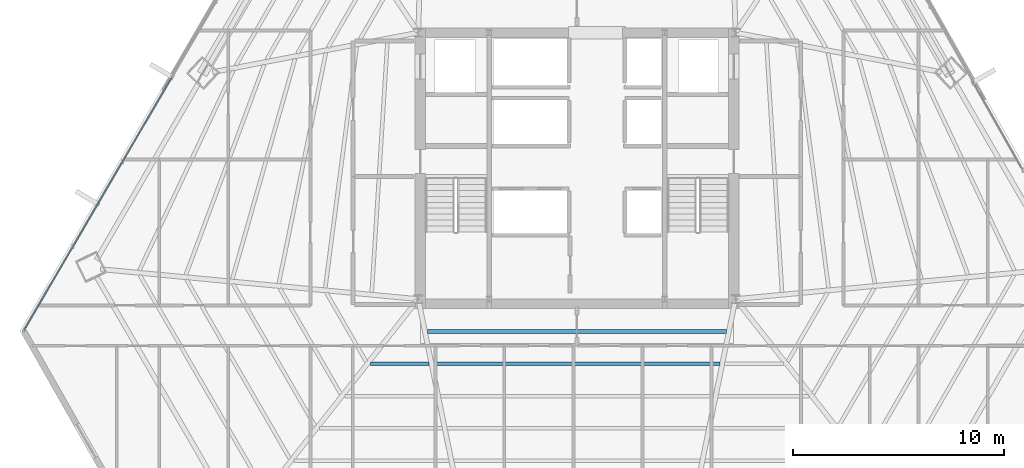
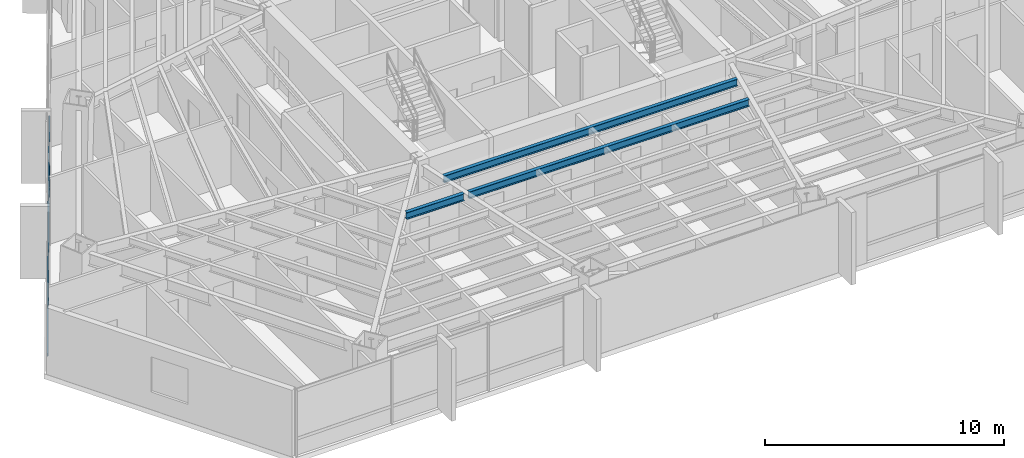
# One storey, part 11 of 37: 3 beams, 2 members, 1 element without a shape of its own.
"""IFC4 building model written with IfcOpenShell, lengths in metres."""

from ifc_helpers import new_model, si_unit, direction, frame, origin, origin_2d, place, context, subcontext, project, spatial, hollow_rectangle, i_section, extrude, source, transform, mapped, material, material_profile, profile_set, type_object, type_shapes, element, aggregate, save


model = new_model("IFC4")

# Units and contexts
model_context = context("Model", 3, precision=1e-05, world=origin(), true_north=direction((0.0, 1.0)))
body_context = subcontext(model_context, "Body", "Model", "MODEL_VIEW")
ifc_project = project(units=[si_unit("LENGTHUNIT", "METRE"), si_unit("AREAUNIT", "SQUARE_METRE"), si_unit("VOLUMEUNIT", "CUBIC_METRE"), si_unit("PLANEANGLEUNIT", "RADIAN"), si_unit("MASSUNIT", "GRAM", prefix="KILO")], contexts=[model_context])

# Site, building, storey
site_placement = place(None, origin())
site = spatial("IfcSite", under=ifc_project, at=site_placement, CompositionType="ELEMENT")
building_placement = place(site_placement, origin())
building = spatial("IfcBuilding", under=site, at=building_placement, Name="Caelisora Broadcast Tower", CompositionType="ELEMENT")
storey_placement = place(building_placement, frame((0.0, 0.0, 120.0)))
storey = spatial("IfcBuildingStorey", under=building, at=storey_placement, Name="L31", CompositionType="ELEMENT", Elevation=120.0)

# Beams
ifc_material_1 = material(Name="Steel Grade 350 (AS/NZS 3679.1)", Category="steel")
ifc_material_profile_1 = material_profile(ifc_material_1, i_section(OverallWidth=0.172119140625, OverallDepth=0.358642578125, WebThickness=0.008056640625, FlangeThickness=0.012939453125, at=origin_2d()), Name="Steel Grade 350 (AS/NZS 3679.1)")
ifc_profile_set_1 = profile_set([ifc_material_profile_1], Name="Steel Grade 350 (AS/NZS 3679.1)")
beam_type = type_object("IfcBeamType", Name="SB02", PredefinedType="JOIST", material=ifc_profile_set_1)
shared_shape_1 = source(origin(), body_context, "Body", "SweptSolid", [
    extrude(i_section(OverallWidth=0.172119140625, OverallDepth=0.358642578125, WebThickness=0.008056640625, FlangeThickness=0.012939453125, at=origin_2d()), origin(), (0.0, 0.0, 1.0), 2.778076171875),
])
beam_1_placement = place(storey_placement, frame((28.234619140625, 14.343505859375, 3.220703125), z_axis=(1.0, 0.0, 0.0), x_axis=(0.0, 1.0, 0.0)))
element("IfcBeam", 1, at=beam_1_placement, inside=storey, type_object=beam_type, Name="L31 beam SB02", PredefinedType="JOIST", context=body_context, shape_type="MappedRepresentation", body=[
    mapped(shared_shape_1, transform((0.0, 0.0, 0.0), scale=1.0)),
])
shared_shape_2 = source(origin(), body_context, "Body", "SweptSolid", [
    extrude(i_section(OverallWidth=0.172119140625, OverallDepth=0.358642578125, WebThickness=0.008056640625, FlangeThickness=0.012939453125, at=origin_2d()), origin(), (0.0, 0.0, 1.0), 14.14697265625),
])
beam_2_placement = place(storey_placement, frame((30.926513671875, 15.871826171875, 3.220703125), z_axis=(1.0, 0.0, 0.0), x_axis=(0.0, 1.0, 0.0)))
element("IfcBeam", 2, at=beam_2_placement, inside=storey, type_object=beam_type, Name="L31 beam SB02", PredefinedType="JOIST", context=body_context, shape_type="MappedRepresentation", body=[
    mapped(shared_shape_2, transform((0.0, 0.0, 0.0), scale=1.0)),
])
shared_shape_3 = source(origin(), body_context, "Body", "SweptSolid", [
    extrude(i_section(OverallWidth=0.172119140625, OverallDepth=0.358642578125, WebThickness=0.008056640625, FlangeThickness=0.012939453125, at=origin_2d()), origin(), (0.0, 0.0, 1.0), 13.52099609375),
])
type_shapes(beam_type, [shared_shape_1, shared_shape_2, shared_shape_3])
beam_3_placement = place(storey_placement, frame((31.239501953125, 14.343505859375, 3.220703125), z_axis=(1.0, 0.0, 0.0), x_axis=(0.0, 1.0, 0.0)))
element("IfcBeam", 3, at=beam_3_placement, inside=storey, type_object=beam_type, Name="L31 beam SB02", PredefinedType="JOIST", context=body_context, shape_type="MappedRepresentation", body=[
    mapped(shared_shape_3, transform((0.0, 0.0, 0.0), scale=1.0)),
])

# Curtain wall, members
ifc_material_2 = material(Name="Unitised Aluminium and Low-E Glass Curtain Wall", Category="glass")
curtain_wall_type = type_object("IfcCurtainWallType", Name="CW-Z2", PredefinedType="NOTDEFINED", material=ifc_material_2)
curtain_wall_placement = place(storey_placement, origin())
curtain_wall = element("IfcCurtainWall", 4, at=curtain_wall_placement, inside=storey, type_object=curtain_wall_type, Name="L31 curtain wall CW-Z2", PredefinedType="NOTDEFINED")
ifc_material_3 = material(Name="Aluminium 6063-T6 Anodised Terracotta Bronze", Category="aluminium")
ifc_material_profile_2 = material_profile(ifc_material_3, hollow_rectangle(XDim=0.06005859375, YDim=0.14990234375, WallThickness=0.00341796875, at=origin_2d()), Name="Aluminium 6063-T6 Anodised Terracotta Bronze")
ifc_profile_set_2 = profile_set([ifc_material_profile_2], Name="Aluminium 6063-T6 Anodised Terracotta Bronze")
member_type = type_object("IfcMemberType", Name="CWT-02", PredefinedType="USERDEFINED", material=ifc_profile_set_2)
shared_shape_4 = source(origin(), body_context, "Body", "SweptSolid", [
    extrude(hollow_rectangle(XDim=0.06005859375, YDim=0.14990234375, WallThickness=0.00341796875, at=origin_2d()), origin(), (0.0, 0.0, 1.0), 13.808837890625),
])
type_shapes(member_type, [shared_shape_4])
member_1_placement = place(storey_placement, frame((11.8671875, 15.936279296875, 0.85009765625), z_axis=(0.504502978753, 0.863409951547, 0.0), x_axis=(-0.863409951547, 0.504502978753, 0.0)))
member_1 = element("IfcMember", 5, at=member_1_placement, type_object=member_type, Name="L31-CW-B09 transom #1", ObjectType="TRANSOM", PredefinedType="USERDEFINED", context=body_context, shape_type="MappedRepresentation", body=[
    mapped(shared_shape_4, transform((0.0, 0.0, 0.0), scale=1.0)),
])
member_2_placement = place(storey_placement, frame((11.8671875, 15.936279296875, 3.320068359375), z_axis=(0.504502978753, 0.863409951547, 0.0), x_axis=(-0.863409951547, 0.504502978753, 0.0)))
member_2 = element("IfcMember", 6, at=member_2_placement, type_object=member_type, Name="L31-CW-B09 transom #2", ObjectType="TRANSOM", PredefinedType="USERDEFINED", context=body_context, shape_type="MappedRepresentation", body=[
    mapped(shared_shape_4, transform((0.0, 0.0, 0.0), scale=1.0)),
])
aggregate(curtain_wall, [member_1, member_2])

save(model, "model.ifc")
